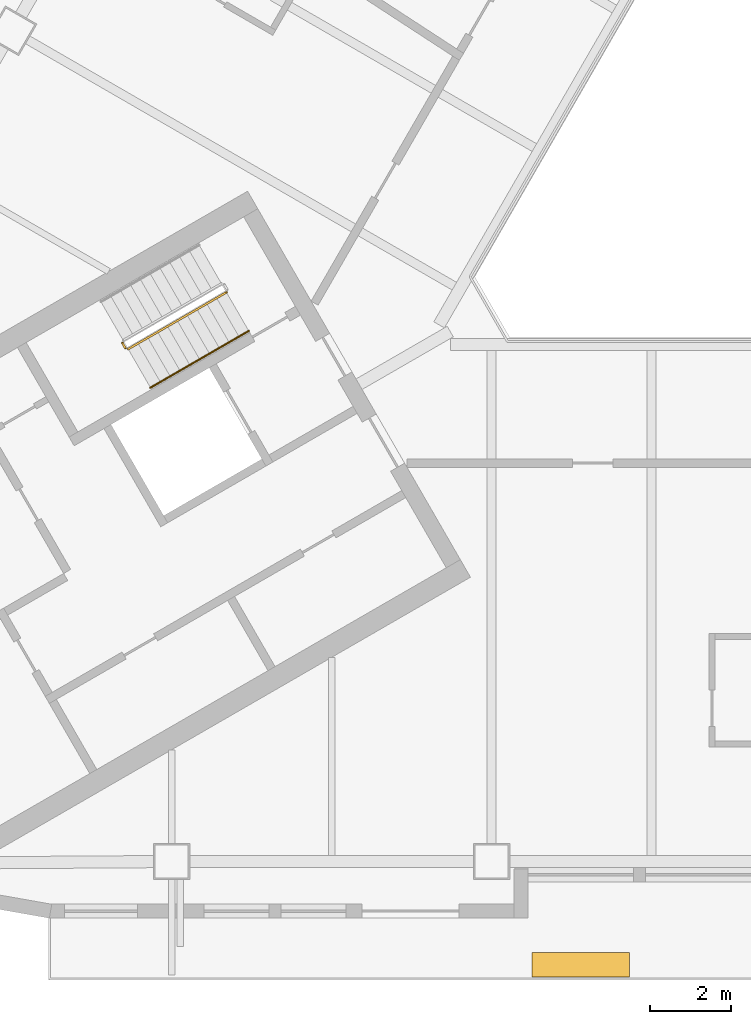
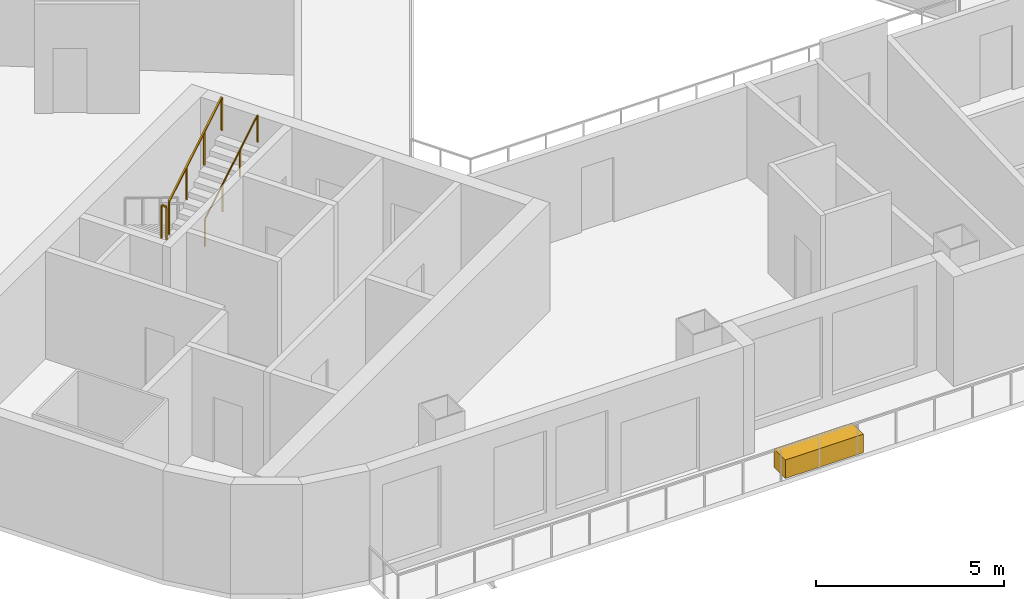
# One storey, part 9 of 14: 3 railings, 1 covering.
"""IFC4 building model written with IfcOpenShell, lengths in metres."""

from ifc_helpers import new_model, si_unit, direction, frame, origin, origin_2d, place, context, subcontext, project, spatial, rectangle, circle, extrude, material, type_object, element, save


model = new_model("IFC4")

# Units and contexts
model_context = context("Model", 3, precision=1e-05, world=origin(), true_north=direction((0.0, 1.0)))
body_context = subcontext(model_context, "Body", "Model", "MODEL_VIEW")
ifc_project = project(units=[si_unit("LENGTHUNIT", "METRE"), si_unit("AREAUNIT", "SQUARE_METRE"), si_unit("VOLUMEUNIT", "CUBIC_METRE"), si_unit("PLANEANGLEUNIT", "RADIAN"), si_unit("MASSUNIT", "GRAM", prefix="KILO")], contexts=[model_context])

# Site, building, storey
site_placement = place(None, origin())
site = spatial("IfcSite", under=ifc_project, at=site_placement, CompositionType="ELEMENT")
building_placement = place(site_placement, origin())
building = spatial("IfcBuilding", under=site, at=building_placement, Name="Apuvela Tower Hotel", CompositionType="ELEMENT")
storey_placement = place(building_placement, frame((0.0, 0.0, 109.39990234375)))
storey = spatial("IfcBuildingStorey", under=building, at=storey_placement, Name="L25", CompositionType="ELEMENT", Elevation=109.39990234375)

# Railings
ifc_material_1 = material(Name="Steel S275 balustrade", Category="steel")
railing_type_1 = type_object("IfcRailingType", Name="COR-GUARD-1100", PredefinedType="GUARDRAIL", material=ifc_material_1)
railing_1_placement = place(storey_placement, frame((-17.01220703125, -5.43408203125, 1.85009765625)))
element("IfcRailing", 1, at=railing_1_placement, inside=storey, type_object=railing_type_1, Name="L25 ST2 stair guard 2", PredefinedType="GUARDRAIL", context=body_context, shape_type="SweptSolid", body=[
    extrude(rectangle(XDim=0.048095703125, YDim=0.048095703125, at=origin_2d()), frame((0.0, 0.0, 1.076171875), z_axis=(0.499816412211, -0.866131372301, 0.0), x_axis=(0.866131372301, 0.499816412211, 0.0)), (0.0, 0.0, 1.0), 0.14990234375),
    extrude(rectangle(XDim=0.0419921875, YDim=0.0419921875, at=origin_2d()), origin(), (0.0, 0.0, 1.0), 1.052001953125),
    extrude(rectangle(XDim=0.0419921875, YDim=0.0419921875, at=origin_2d()), frame((0.074951171875, -0.1298828125, 0.0)), (0.0, 0.0, 1.0), 1.052001953125),
])
railing_2_placement = place(storey_placement, frame((-16.868896484375, -5.582275390625, 2.018310546875)))
element("IfcRailing", 2, at=railing_2_placement, inside=storey, type_object=railing_type_1, Name="L25 ST2 stair guard 3", PredefinedType="GUARDRAIL", context=body_context, shape_type="SweptSolid", body=[
    extrude(rectangle(XDim=0.048095703125, YDim=0.048095703125, at=origin_2d()), frame((0.0, 0.0, 1.076171875), z_axis=(0.742390482028, 0.42860119049, 0.514934356695), x_axis=(-0.49998411664, 0.866034573852, 0.0)), (0.0, 0.0, 1.0), 3.26611328125),
    extrude(rectangle(XDim=0.0419921875, YDim=0.0419921875, at=origin_2d()), origin(), (0.0, 0.0, 1.0), 1.052001953125),
    extrude(rectangle(XDim=0.0419921875, YDim=0.0419921875, at=origin_2d()), frame((0.808349609375, 0.466552734375, 0.560546875)), (0.0, 0.0, 1.0), 1.052001953125),
    extrude(rectangle(XDim=0.0419921875, YDim=0.0419921875, at=origin_2d()), frame((1.616455078125, 0.933349609375, 1.121337890625)), (0.0, 0.0, 1.0), 1.052001953125),
    extrude(rectangle(XDim=0.0419921875, YDim=0.0419921875, at=origin_2d()), frame((2.4248046875, 1.39990234375, 1.681884765625)), (0.0, 0.0, 1.0), 1.052001953125),
])
ifc_material_2 = material(Name="Stainless steel 316 handrail", Category="steel")
railing_type_2 = type_object("IfcRailingType", Name="COR-HANDRAIL-900", PredefinedType="HANDRAIL", material=ifc_material_2)
railing_3_placement = place(storey_placement, frame((-16.31884765625, -6.534912109375, 2.018310546875)))
element("IfcRailing", 3, at=railing_3_placement, inside=storey, type_object=railing_type_2, Name="L25 ST2 stair handrail 2", PredefinedType="HANDRAIL", context=body_context, shape_type="SweptSolid", body=[
    extrude(circle(Radius=0.02392578125, at=origin_2d()), frame((0.0, 0.0, 0.8759765625), z_axis=(0.742390482028, 0.42860119049, 0.514934356695), x_axis=(-0.49998411664, 0.866034573852, 0.0)), (0.0, 0.0, 1.0), 3.26611328125),
    extrude(rectangle(XDim=0.0419921875, YDim=0.0419921875, at=origin_2d()), origin(), (0.0, 0.0, 1.0), 0.851806640625),
    extrude(rectangle(XDim=0.0419921875, YDim=0.0419921875, at=origin_2d()), frame((0.808349609375, 0.466552734375, 0.560546875)), (0.0, 0.0, 1.0), 0.851806640625),
    extrude(rectangle(XDim=0.0419921875, YDim=0.0419921875, at=origin_2d()), frame((1.616455078125, 0.933349609375, 1.121337890625)), (0.0, 0.0, 1.0), 0.851806640625),
    extrude(rectangle(XDim=0.0419921875, YDim=0.0419921875, at=origin_2d()), frame((2.4248046875, 1.39990234375, 1.681884765625)), (0.0, 0.0, 1.0), 0.851806640625),
])

# Covering
ifc_material_3 = material(Name="Planting substrate and soil, planted")
covering_type = type_object("IfcCoveringType", Name="ENV-PLANTER-2400x600", PredefinedType="USERDEFINED", material=ifc_material_3)
covering_placement = place(storey_placement, frame((-5.69970703125, -20.780029296875, 0.0), z_axis=(0.0, 0.0, 1.0), x_axis=(1.0, 0.0, 0.0)))
element("IfcCovering", 4, at=covering_placement, inside=storey, type_object=covering_type, Name="Planter S1", ObjectType="PLANTER", PredefinedType="USERDEFINED", context=body_context, shape_type="SweptSolid", body=[
    extrude(rectangle(XDim=2.39990234375, YDim=0.60009765625, at=origin_2d()), origin(), (0.0, 0.0, 1.0), 0.60009765625),
])

save(model, "model.ifc")
